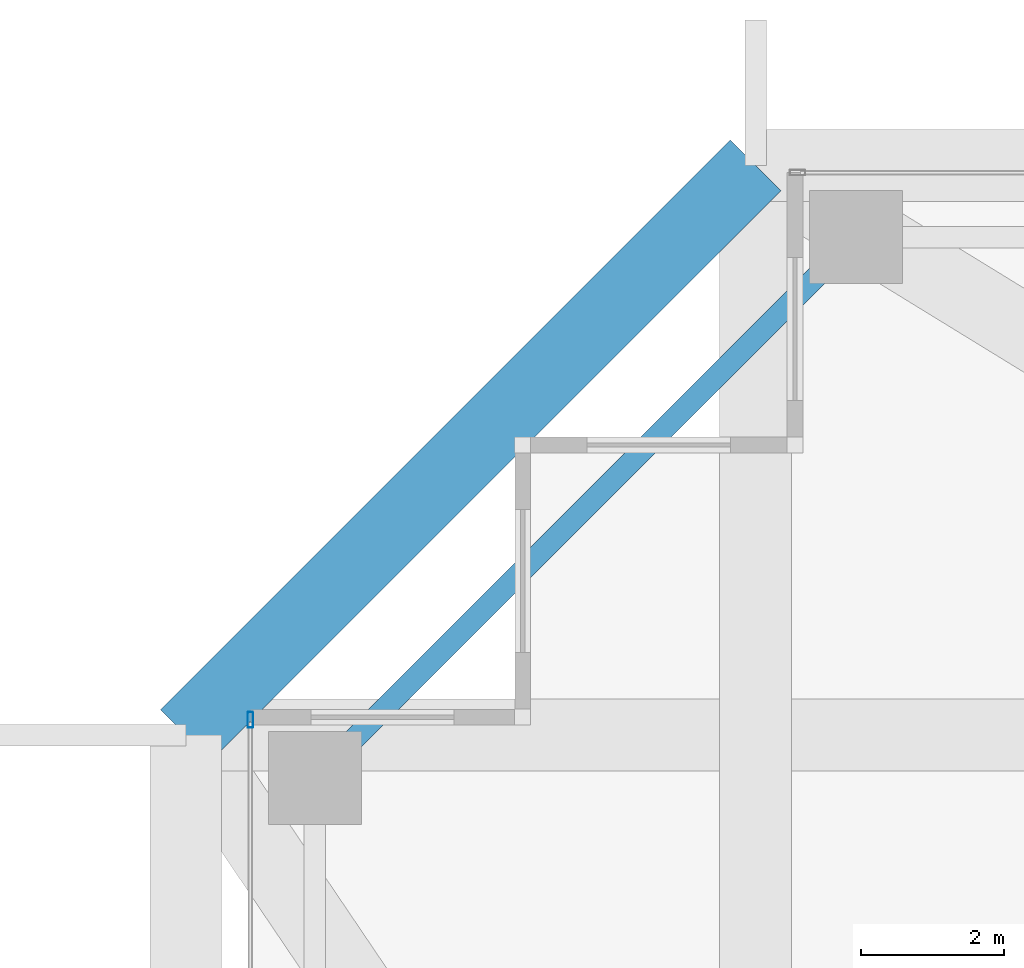
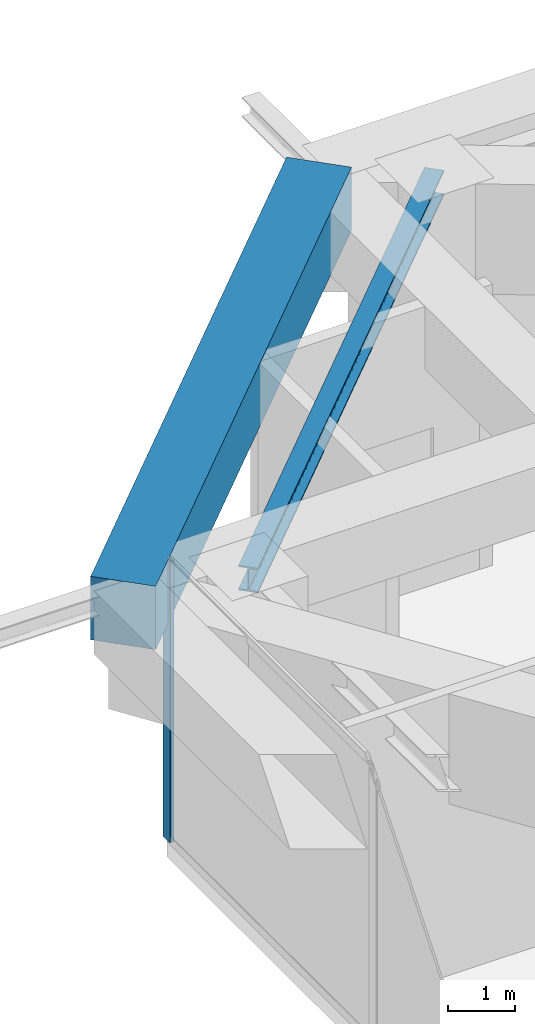
# One storey, part 18 of 38: 2 beams, 1 member, 1 element without a shape of its own.
"""IFC4 building model written with IfcOpenShell, lengths in metres."""

import ifcopenshell
import ifcopenshell.guid

model = None  # the IFC model being written
_history = None  # IfcOwnerHistory: only IFC2X3 demands one
_inside = {}  # id of a spatial element -> (the spatial element, [elements in it])
_under = {}  # id of a project, library or spatial element -> (it, [spatial elements below it])
_declared = {}  # id of a project -> (the project, [libraries it declares])
_typed = {}  # id of a type object -> (the type object, [elements of that type])
_made_of = {}  # id of a material, layer set ... -> (it, [elements and type objects made of it])


def new_model(schema):
    """Start an empty IFC model of exactly this schema.

    Asked for "IFC4X3", IfcOpenShell would pick the latest addendum, in which some entities
    have other attributes; the version numbers below select the first issue.
    IFC2X3 requires an IfcOwnerHistory on every rooted entity: one is made here for all.
    """
    global model, _history
    if schema == "IFC4X3":
        model = ifcopenshell.file(schema_version=(4, 3, 0, 0))
    else:
        model = ifcopenshell.file(schema=schema)
    _inside.clear()
    _under.clear()
    _declared.clear()
    _typed.clear()
    _made_of.clear()
    _history = None
    if model.schema == "IFC2X3":
        org = make("IfcOrganization", Name="unknown")
        user = make(
            "IfcPersonAndOrganization",
            ThePerson=make("IfcPerson", FamilyName="unknown"),
            TheOrganization=org,
        )
        app = make(
            "IfcApplication",
            ApplicationDeveloper=org,
            Version="unknown",
            ApplicationFullName="unknown",
            ApplicationIdentifier="unknown",
        )
        _history = make(
            "IfcOwnerHistory",
            OwningUser=user,
            OwningApplication=app,
            ChangeAction="ADDED",
            CreationDate=0,
        )
    return model


def make(cls, **values):
    """One entity of the class cls with the attributes given. An attribute that is None is left unset."""
    return model.create_entity(
        cls, **{name: value for name, value in values.items() if value is not None}
    )


def rooted(cls, **values):
    """An entity with a GlobalId (a new one), such as an element, a storey or a relation."""
    return make(cls, GlobalId=ifcopenshell.guid.new(), OwnerHistory=_history, **values)


def si_unit(unit_type, name, prefix=None):
    """IfcSIUnit, for example si_unit("LENGTHUNIT", "METRE", prefix="MILLI")."""
    return make("IfcSIUnit", UnitType=unit_type, Prefix=prefix, Name=name)


def assignment(units):
    """IfcUnitAssignment: the units of a project."""
    return None if units is None else make("IfcUnitAssignment", Units=units)


def point(xyz):
    """IfcCartesianPoint."""
    return None if xyz is None else make("IfcCartesianPoint", Coordinates=xyz)


def direction(xyz):
    """IfcDirection."""
    return None if xyz is None else make("IfcDirection", DirectionRatios=xyz)


def frame(location, z_axis=None, x_axis=None):
    """IfcAxis2Placement3D, a coordinate frame: its origin and axes. An axis left out is left unset."""
    return make(
        "IfcAxis2Placement3D",
        Location=point(location),
        Axis=direction(z_axis),
        RefDirection=direction(x_axis),
    )


def frame_2d(location, x_axis=None):
    """IfcAxis2Placement2D, a coordinate frame in the plane: its origin and x axis."""
    return make(
        "IfcAxis2Placement2D", Location=point(location), RefDirection=direction(x_axis)
    )


def origin():
    """The frame at (0, 0, 0) with its axes left unset."""
    return frame((0.0, 0.0, 0.0))


def origin_2d():
    """The frame at (0, 0) in the plane with its x axis left unset."""
    return frame_2d((0.0, 0.0))


def place(relative_to, where):
    """IfcLocalPlacement: puts the frame where relative to a parent placement (None: the world)."""
    return make(
        "IfcLocalPlacement", PlacementRelTo=relative_to, RelativePlacement=where
    )


def context(
    kind, dimensions, precision=None, world=None, true_north=None, identifier=None
):
    """IfcGeometricRepresentationContext, for example the 3D "Model" context."""
    return make(
        "IfcGeometricRepresentationContext",
        ContextIdentifier=identifier,
        ContextType=kind,
        CoordinateSpaceDimension=dimensions,
        Precision=precision,
        WorldCoordinateSystem=world,
        TrueNorth=true_north,
    )


def subcontext(parent, identifier, kind, view, scale=None):
    """IfcGeometricRepresentationSubContext, for example "Body" below "Model"."""
    return make(
        "IfcGeometricRepresentationSubContext",
        ContextIdentifier=identifier,
        ContextType=kind,
        ParentContext=parent,
        TargetScale=scale,
        TargetView=view,
    )


def project(units=None, contexts=None):
    """IfcProject with its units and contexts."""
    return rooted(
        "IfcProject",
        Name="project",
        RepresentationContexts=contexts,
        UnitsInContext=assignment(units),
    )


def spatial(cls, under=None, at=None, **own):
    """A site, building, storey or space (cls), placed at a placement, below another one or the project."""
    s = rooted(cls, ObjectPlacement=at, **own)
    if under is not None:
        _under.setdefault(under.id(), (under, []))[1].append(s)
    return s


def profile(cls, at=None, kind="AREA", **sizes):
    """A parametric profile (cls). Its sizes go by their IFC names, for example OverallWidth=200.0."""
    return make(cls, ProfileType=kind, Position=at, **sizes)


def rectangle(**sizes):
    """IfcRectangleProfileDef."""
    return profile("IfcRectangleProfileDef", **sizes)


def hollow_rectangle(**sizes):
    """IfcRectangleHollowProfileDef."""
    return profile("IfcRectangleHollowProfileDef", **sizes)


def i_section(**sizes):
    """IfcIShapeProfileDef."""
    return profile("IfcIShapeProfileDef", **sizes)


def extrude(swept, where, along, depth):
    """IfcExtrudedAreaSolid: the profile swept, set in the frame where, extruded along a direction by depth."""
    return make(
        "IfcExtrudedAreaSolid",
        SweptArea=swept,
        Position=where,
        ExtrudedDirection=direction(along),
        Depth=depth,
    )


def shape(context_of_items, identifier, shape_type, items):
    """IfcShapeRepresentation: the items that make up one representation, for example the "Body"."""
    return make(
        "IfcShapeRepresentation",
        ContextOfItems=context_of_items,
        RepresentationIdentifier=identifier,
        RepresentationType=shape_type,
        Items=items,
    )


def source(mapping_origin, context_of_items, identifier, shape_type, items):
    """IfcRepresentationMap: a shape defined once, which mapped items show again and again."""
    return make(
        "IfcRepresentationMap",
        MappingOrigin=mapping_origin,
        MappedRepresentation=shape(context_of_items, identifier, shape_type, items),
    )


def transform(
    local_origin,
    x_axis=None,
    y_axis=None,
    z_axis=None,
    scale=None,
    scale2=None,
    scale3=None,
    uniform=True,
):
    """IfcCartesianTransformationOperator3D, or its non-uniform kind. x_axis, y_axis, z_axis: its Axis1, 2, 3."""
    if uniform:
        return make(
            "IfcCartesianTransformationOperator3D",
            Axis1=direction(x_axis),
            Axis2=direction(y_axis),
            LocalOrigin=point(local_origin),
            Scale=scale,
            Axis3=direction(z_axis),
        )
    return make(
        "IfcCartesianTransformationOperator3DnonUniform",
        Axis1=direction(x_axis),
        Axis2=direction(y_axis),
        LocalOrigin=point(local_origin),
        Scale=scale,
        Axis3=direction(z_axis),
        Scale2=scale2,
        Scale3=scale3,
    )


def mapped(mapping_source, mapping_target):
    """IfcMappedItem: shows the shape of a source again, moved by a transform."""
    return make(
        "IfcMappedItem", MappingSource=mapping_source, MappingTarget=mapping_target
    )


def material(Name=None, Category=None):
    """IfcMaterial."""
    return make("IfcMaterial", Name=Name, Category=Category)


def layer(
    of_material, thickness, ventilated=None, Name=None, Category=None, Priority=None
):
    """IfcMaterialLayer: one layer of a wall or slab, of a material (None: an air gap)."""
    return make(
        "IfcMaterialLayer",
        Material=of_material,
        LayerThickness=thickness,
        IsVentilated=ventilated,
        Name=Name,
        Category=Category,
        Priority=Priority,
    )


def layer_set(layers, Name=None):
    """IfcMaterialLayerSet."""
    return make("IfcMaterialLayerSet", MaterialLayers=layers, LayerSetName=Name)


def material_profile(
    of_material, cross_section, Name=None, Category=None, Priority=None
):
    """IfcMaterialProfile: a cross section and its material."""
    return make(
        "IfcMaterialProfile",
        Name=Name,
        Material=of_material,
        Profile=cross_section,
        Priority=Priority,
        Category=Category,
    )


def profile_set(profiles, Name=None, composite=None):
    """IfcMaterialProfileSet."""
    return make(
        "IfcMaterialProfileSet",
        Name=Name,
        MaterialProfiles=profiles,
        CompositeProfile=composite,
    )


def made_of(thing, what):
    """Note that an element or type object is made of a material, layer set ...; save() writes the relation."""
    if what is not None:
        _made_of.setdefault(what.id(), (what, []))[1].append(thing)
    return thing


def type_object(cls, material=None, **own):
    """A type object (cls), such as IfcWallType, which elements share."""
    return made_of(rooted(cls, **own), material)


def element(
    cls,
    number,
    at=None,
    inside=None,
    cuts=None,
    type_object=None,
    material=None,
    context=None,
    identifier="Body",
    shape_type=None,
    held_by="IfcProductDefinitionShape",
    body=None,
    shapes=None,
    **own,
):
    """One element of the class cls, such as IfcWall. Its Tag is "e" and its number.

    at: its placement. inside: the storey or other place that contains it. cuts: it is an
    opening in that element (IfcRelVoidsElement). A single representation is given by context,
    identifier, shape_type and body (its items); several are given by shapes. held_by: the class
    of the entity that holds the representations. save() writes the other relations.
    """
    e = rooted(cls, Tag="e%d" % number, ObjectPlacement=at, **own)
    if body is not None:
        shapes = [shape(context, identifier, shape_type, body)]
    if shapes is not None:
        e.Representation = make(held_by, Representations=shapes)
    if inside is not None:
        _inside.setdefault(inside.id(), (inside, []))[1].append(e)
    if cuts is not None:
        rooted(
            "IfcRelVoidsElement", RelatingBuildingElement=cuts, RelatedOpeningElement=e
        )
    if type_object is not None:
        _typed.setdefault(type_object.id(), (type_object, []))[1].append(e)
    return made_of(e, material)


def aggregate(whole, parts):
    """IfcRelAggregates: a whole, such as a stair, and the parts it consists of."""
    return rooted("IfcRelAggregates", RelatingObject=whole, RelatedObjects=parts)


def save(model, path):
    """Write the relations noted so far, then the file.

    IfcRelAggregates (storeys below a building ...), IfcRelContainedInSpatialStructure (elements
    in a storey), IfcRelDefinesByType, IfcRelAssociatesMaterial and IfcRelDeclares: one each for
    every whole, place, type object, material and project.
    """
    for whole, parts in _under.values():
        aggregate(whole, parts)
    for where, things in _inside.values():
        rooted(
            "IfcRelContainedInSpatialStructure",
            RelatedElements=things,
            RelatingStructure=where,
        )
    for kind, things in _typed.values():
        rooted("IfcRelDefinesByType", RelatedObjects=things, RelatingType=kind)
    for what, things in _made_of.values():
        rooted("IfcRelAssociatesMaterial", RelatedObjects=things, RelatingMaterial=what)
    for by, libraries in _declared.values():
        rooted("IfcRelDeclares", RelatingContext=by, RelatedDefinitions=libraries)
    model.write(path)


model = new_model("IFC4")

# Units and contexts
model_context = context("Model", 3, precision=1e-05, world=origin(), true_north=direction((0.0, 1.0)))
body_context = subcontext(model_context, "Body", "Model", "MODEL_VIEW")
ifc_project = project(units=[si_unit("LENGTHUNIT", "METRE"), si_unit("AREAUNIT", "SQUARE_METRE"), si_unit("VOLUMEUNIT", "CUBIC_METRE"), si_unit("PLANEANGLEUNIT", "RADIAN"), si_unit("MASSUNIT", "GRAM", prefix="KILO")], contexts=[model_context])

# Site, building, storey
site_placement = place(None, origin())
site = spatial("IfcSite", under=ifc_project, at=site_placement, CompositionType="ELEMENT")
building_placement = place(site_placement, origin())
building = spatial("IfcBuilding", under=site, at=building_placement, Name="Serunith Strait Residences", CompositionType="ELEMENT")
storey_placement = place(building_placement, frame((0.0, 0.0, 204.89990234375)))
storey = spatial("IfcBuildingStorey", under=building, at=storey_placement, Name="L51", CompositionType="ELEMENT", Elevation=204.89990234375)

# Beams
ifc_material_1 = material(Name="Concrete C80/95", Category="concrete")
ifc_material_profile_1 = material_profile(ifc_material_1, rectangle(XDim=1.0, YDim=1.14990234375, at=origin_2d()), Name="RC 1000x1150")
ifc_profile_set_1 = profile_set([ifc_material_profile_1], Name="Concrete C80/95")
beam_type_1 = type_object("IfcBeamType", Name="BM-XFER-1000x1150", PredefinedType="BEAM", material=ifc_profile_set_1)
shared_shape_1 = source(origin(), body_context, "Body", "SweptSolid", [
    extrude(rectangle(XDim=1.0, YDim=1.14990234375, at=origin_2d()), origin(), (0.0, 0.0, 1.0), 11.242919921875),
])
beam_1_placement = place(storey_placement, frame((16.25, 48.300048828125, 4.53515625), z_axis=(-0.707106781187, -0.707106781187, 0.0), x_axis=(0.707106781187, -0.707106781187, 0.0)))
element("IfcBeam", 1, at=beam_1_placement, inside=storey, type_object=beam_type_1, Name="L51 Flare Upper Ring Transfer Girder 12", PredefinedType="BEAM", context=body_context, shape_type="MappedRepresentation", body=[
    mapped(shared_shape_1, transform((0.0, 0.0, 0.0), scale=1.0)),
])
ifc_material_2 = material(Name="Steel S355J2", Category="steel")
ifc_material_profile_2 = material_profile(ifc_material_2, i_section(OverallWidth=0.300048828125, OverallDepth=0.449951171875, WebThickness=0.013916015625, FlangeThickness=0.02587890625, FilletRadius=0.027099609375, at=origin_2d()), Name="HEB 450")
ifc_profile_set_2 = profile_set([ifc_material_profile_2], Name="Steel S355J2")
beam_type_2 = type_object("IfcBeamType", Name="BM-HEB450", PredefinedType="BEAM", material=ifc_profile_set_2)
shared_shape_2 = source(origin(), body_context, "Body", "SweptSolid", [
    extrude(i_section(OverallWidth=0.300048828125, OverallDepth=0.449951171875, WebThickness=0.013916015625, FlangeThickness=0.02587890625, FilletRadius=0.027099609375, at=origin_2d()), origin(), (0.0, 0.0, 1.0), 10.67724609375),
])
beam_2_placement = place(storey_placement, frame((17.64990234375, 47.300048828125, 4.882080078125), z_axis=(-0.707095348302, -0.707118213887, 0.0), x_axis=(0.707118213887, -0.707095348302, 0.0)))
element("IfcBeam", 2, at=beam_2_placement, inside=storey, type_object=beam_type_2, Name="L51 Perimeter Ring Beam 12", PredefinedType="BEAM", context=body_context, shape_type="MappedRepresentation", body=[
    mapped(shared_shape_2, transform((0.0, 0.0, 0.0), scale=1.0)),
])

# Curtain wall, member
ifc_material_3 = material(Name="Pale-Silver PVDF Aluminium", Category="aluminium")
ifc_layer = layer(ifc_material_3, 0.199951171875, Name="Pale-Silver PVDF Aluminium")
ifc_layer_set = layer_set([ifc_layer], Name="Pale-Silver PVDF Aluminium")
curtain_wall_type = type_object("IfcCurtainWallType", Name="CW-SYS3", PredefinedType="NOTDEFINED", material=ifc_layer_set)
curtain_wall_placement = place(storey_placement, origin())
curtain_wall = element("IfcCurtainWall", 3, at=curtain_wall_placement, inside=storey, type_object=curtain_wall_type, Name="L51 W Unitised Fritted Curtain Wall", PredefinedType="NOTDEFINED")
ifc_material_profile_3 = material_profile(ifc_material_3, hollow_rectangle(XDim=0.074951171875, YDim=0.219970703125, WallThickness=0.00390625, InnerFilletRadius=0.006103515625, OuterFilletRadius=0.010009765625, at=origin_2d()), Name="ALU 220x75x4")
ifc_profile_set_3 = profile_set([ifc_material_profile_3], Name="Pale-Silver PVDF Aluminium")
member_type = type_object("IfcMemberType", Name="CW-SYS3-MULL", PredefinedType="MULLION", material=ifc_profile_set_3)
shared_shape_3 = source(origin(), body_context, "Body", "SweptSolid", [
    extrude(hollow_rectangle(XDim=0.074951171875, YDim=0.219970703125, WallThickness=0.00390625, InnerFilletRadius=0.006103515625, OuterFilletRadius=0.010009765625, at=origin_2d()), origin(), (0.0, 0.0, 1.0), 5.09521484375),
])
member_placement = place(storey_placement, frame((9.199951171875, 40.5625, 0.0), z_axis=(0.0, 0.0, 1.0), x_axis=(1.0, 0.0, 0.0)))
member = element("IfcMember", 4, at=member_placement, type_object=member_type, Name="CW-3 mullion 1", PredefinedType="MULLION", context=body_context, shape_type="MappedRepresentation", body=[
    mapped(shared_shape_3, transform((0.0, 0.0, 0.0), scale=1.0)),
])
aggregate(curtain_wall, [member])

save(model, "model.ifc")
